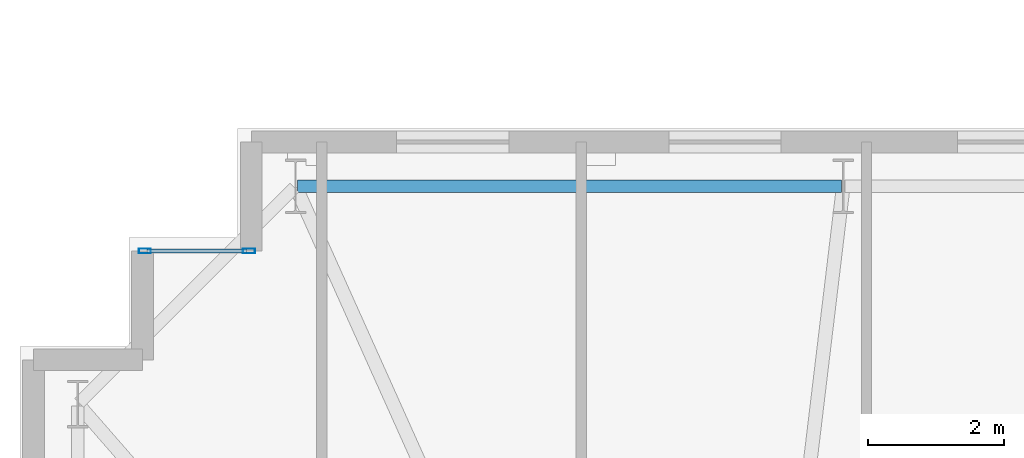
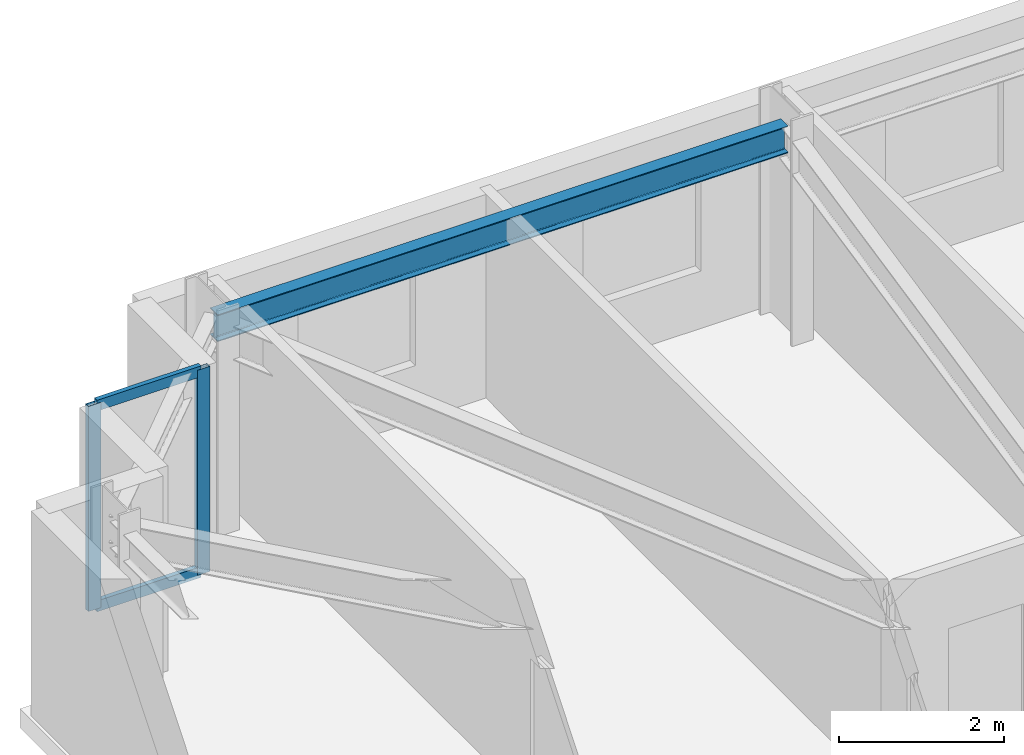
# One storey, part 7 of 19: 4 members, 1 beam, 1 element without a shape of its own.
"""IFC4 building model written with IfcOpenShell, lengths in metres."""

from ifc_helpers import new_model, si_unit, direction, frame, origin, origin_2d, place, context, subcontext, project, spatial, hollow_rectangle, i_section, extrude, material, layer, layer_set, material_profile, profile_set, type_object, element, aggregate, save


model = new_model("IFC4")

# Units and contexts
model_context = context("Model", 3, precision=1e-05, world=origin(), true_north=direction((0.0, 1.0)))
body_context = subcontext(model_context, "Body", "Model", "MODEL_VIEW")
ifc_project = project(units=[si_unit("LENGTHUNIT", "METRE"), si_unit("AREAUNIT", "SQUARE_METRE"), si_unit("VOLUMEUNIT", "CUBIC_METRE"), si_unit("PLANEANGLEUNIT", "RADIAN"), si_unit("MASSUNIT", "GRAM", prefix="KILO")], contexts=[model_context])

# Site, building, storey
site_placement = place(None, origin())
site = spatial("IfcSite", under=ifc_project, at=site_placement, CompositionType="ELEMENT")
building_placement = place(site_placement, origin())
building = spatial("IfcBuilding", under=site, at=building_placement, Name="Qobustan Lattice House", CompositionType="ELEMENT")
storey_placement = place(building_placement, frame((0.0, 0.0, 131.0)))
storey = spatial("IfcBuildingStorey", under=building, at=storey_placement, Name="L36", CompositionType="ELEMENT", Elevation=131.0)

# Beam
ifc_material_1 = material(Name="Steel S355", Category="steel")
ifc_material_profile_1 = material_profile(ifc_material_1, i_section(OverallWidth=0.179931640625, OverallDepth=0.39990234375, WebThickness=0.008544921875, FlangeThickness=0.013427734375, FilletRadius=0.02099609375, at=origin_2d()), Name="IPE400")
ifc_profile_set_1 = profile_set([ifc_material_profile_1], Name="Steel S355")
beam_type = type_object("IfcBeamType", Name="BM-SPD-IPE400", PredefinedType="SPANDREL", material=ifc_profile_set_1)
beam_placement = place(storey_placement, frame((-17.125, 19.75, 2.840087890625), z_axis=(-1.0, 0.0, 0.0), x_axis=(0.0, -1.0, 0.0)))
element("IfcBeam", 1, at=beam_placement, inside=storey, type_object=beam_type, Name="L36 perimeter spandrel N6-N7", PredefinedType="SPANDREL", context=body_context, shape_type="SweptSolid", body=[
    extrude(i_section(OverallWidth=0.179931640625, OverallDepth=0.39990234375, WebThickness=0.008544921875, FlangeThickness=0.013427734375, FilletRadius=0.02099609375, at=origin_2d()), origin(), (0.0, 0.0, 1.0), 8.0),
])

# Curtain wall, members
ifc_material_2 = material(Name="Anodised aluminium and low-E glazing", Category="aluminium")
ifc_layer = layer(ifc_material_2, 0.219970703125)
ifc_layer_set = layer_set([ifc_layer], Name="Anodised aluminium and low-E glazing")
curtain_wall_type = type_object("IfcCurtainWallType", Name="CW-FAC-02", PredefinedType="USERDEFINED", material=ifc_layer_set)
curtain_wall_placement = place(storey_placement, origin())
curtain_wall = element("IfcCurtainWall", 2, at=curtain_wall_placement, inside=storey, type_object=curtain_wall_type, Name="L36 serrated corner faceted glazing 8", ObjectType="CURTAIN WALL", PredefinedType="USERDEFINED")
ifc_material_3 = material(Name="Anodised aluminium EN AW-6063 T6", Category="aluminium")
ifc_material_profile_2 = material_profile(ifc_material_3, hollow_rectangle(XDim=0.070068359375, YDim=0.179931640625, WallThickness=0.00439453125, at=origin_2d()), Name="CWM-180x70")
ifc_profile_set_2 = profile_set([ifc_material_profile_2], Name="Anodised aluminium EN AW-6063 T6")
member_type_1 = type_object("IfcMemberType", Name="CWM-STD-180", PredefinedType="MULLION", material=ifc_profile_set_2)
member_1_placement = place(storey_placement, frame((-27.364990234375, 18.800048828125, 0.0), z_axis=(0.0, 0.0, 1.0), x_axis=(0.0, 1.0, 0.0)))
member_1 = element("IfcMember", 3, at=member_1_placement, type_object=member_type_1, Name="CW-F2 mullion 1", PredefinedType="MULLION", context=body_context, shape_type="SweptSolid", body=[
    extrude(hollow_rectangle(XDim=0.070068359375, YDim=0.179931640625, WallThickness=0.00439453125, at=origin_2d()), origin(), (0.0, 0.0, 1.0), 3.0400390625),
])
member_2_placement = place(storey_placement, frame((-25.8349609375, 18.800048828125, 0.0), z_axis=(0.0, 0.0, 1.0), x_axis=(0.0, 1.0, 0.0)))
member_2 = element("IfcMember", 4, at=member_2_placement, type_object=member_type_1, Name="CW-F2 mullion 2", PredefinedType="MULLION", context=body_context, shape_type="SweptSolid", body=[
    extrude(hollow_rectangle(XDim=0.070068359375, YDim=0.179931640625, WallThickness=0.00439453125, at=origin_2d()), origin(), (0.0, 0.0, 1.0), 3.0400390625),
])
ifc_material_4 = material(Name="Anodised aluminium EN AW-6063 T6", Category="aluminium")
ifc_material_profile_3 = material_profile(ifc_material_4, hollow_rectangle(XDim=0.06494140625, YDim=0.159912109375, WallThickness=0.00390625, at=origin_2d()), Name="CWT-160x65")
ifc_profile_set_3 = profile_set([ifc_material_profile_3], Name="Anodised aluminium EN AW-6063 T6")
member_type_2 = type_object("IfcMemberType", Name="CWT-HOR-160", PredefinedType="USERDEFINED", material=ifc_profile_set_3)
member_3_placement = place(storey_placement, frame((-27.330078125, 18.800048828125, 0.032470703125), z_axis=(1.0, 0.0, 0.0), x_axis=(0.0, 1.0, 0.0)))
member_3 = element("IfcMember", 5, at=member_3_placement, type_object=member_type_2, Name="CW-F2 transom 1.1", ObjectType="TRANSOM", PredefinedType="USERDEFINED", context=body_context, shape_type="SweptSolid", body=[
    extrude(hollow_rectangle(XDim=0.06494140625, YDim=0.159912109375, WallThickness=0.00390625, at=origin_2d()), origin(), (0.0, 0.0, 1.0), 1.4599609375),
])
member_4_placement = place(storey_placement, frame((-27.330078125, 18.800048828125, 3.007568359375), z_axis=(1.0, 0.0, 0.0), x_axis=(0.0, 1.0, 0.0)))
member_4 = element("IfcMember", 6, at=member_4_placement, type_object=member_type_2, Name="CW-F2 transom 1.2", ObjectType="TRANSOM", PredefinedType="USERDEFINED", context=body_context, shape_type="SweptSolid", body=[
    extrude(hollow_rectangle(XDim=0.06494140625, YDim=0.159912109375, WallThickness=0.00390625, at=origin_2d()), origin(), (0.0, 0.0, 1.0), 1.4599609375),
])
aggregate(curtain_wall, [member_1, member_2, member_3, member_4])

save(model, "model.ifc")
